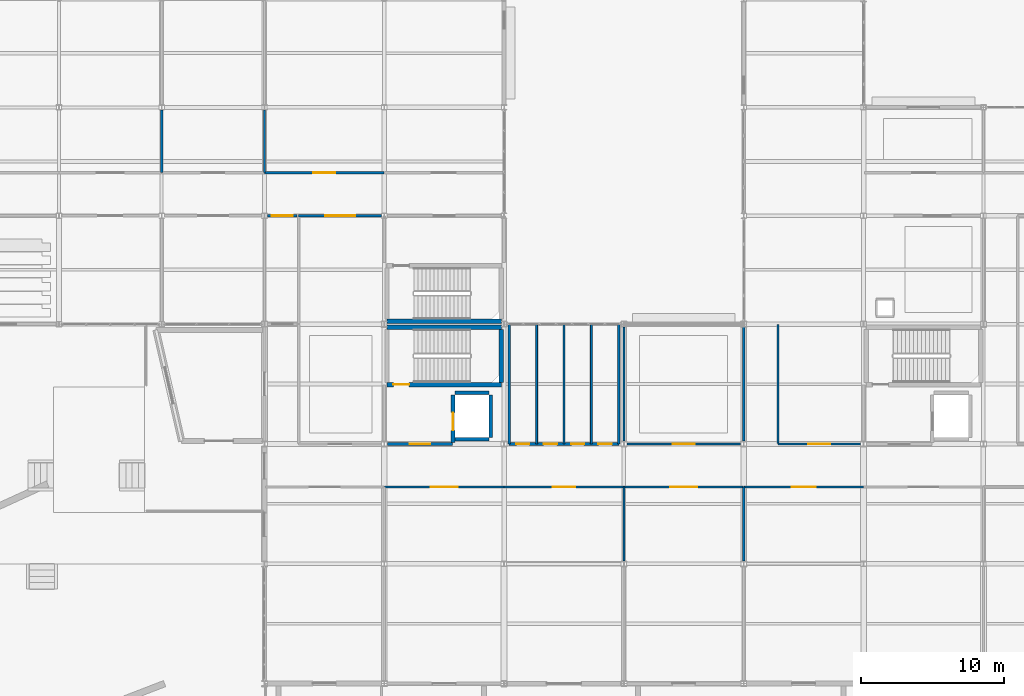
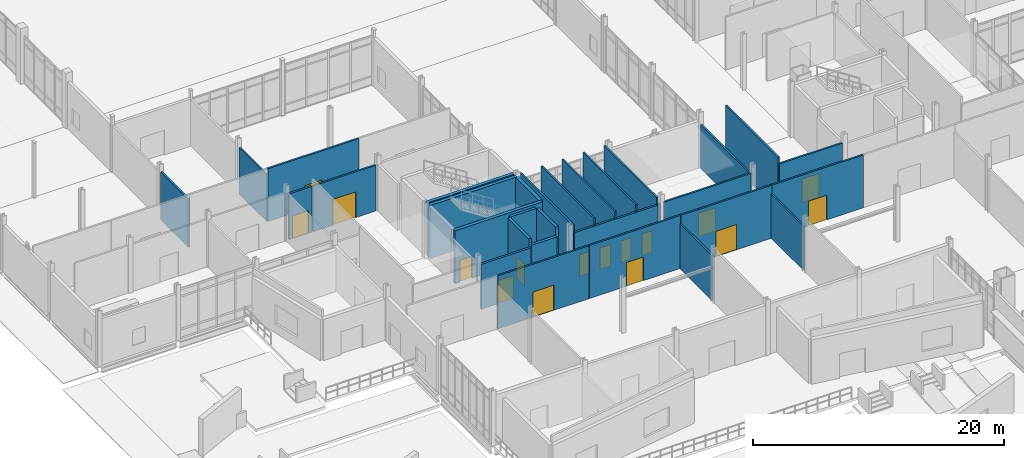
# One storey, part 190 of 229: 31 walls, 16 doors, 16 openings.
"""IFC4 building model written with IfcOpenShell, lengths in metres."""

from ifc_helpers import new_model, si_unit, direction, frame, frame_2d, origin, place, context, subcontext, project, spatial, rectangle, extrude, material, layer, layer_set, type_object, element, fill, save


model = new_model("IFC4")

# Units and contexts
model_context = context("Model", 3, precision=1e-05, world=origin(), true_north=direction((0.0, 1.0)))
body_context = subcontext(model_context, "Body", "Model", "MODEL_VIEW")
ifc_project = project(units=[si_unit("LENGTHUNIT", "METRE"), si_unit("AREAUNIT", "SQUARE_METRE"), si_unit("VOLUMEUNIT", "CUBIC_METRE"), si_unit("PLANEANGLEUNIT", "RADIAN"), si_unit("MASSUNIT", "GRAM", prefix="KILO")], contexts=[model_context])

# Site, building, storey
site_placement = place(None, origin())
site = spatial("IfcSite", under=ifc_project, at=site_placement, CompositionType="ELEMENT")
building_placement = place(site_placement, origin())
building = spatial("IfcBuilding", under=site, at=building_placement, Name="Calvrana Isthmian Art Gallery", CompositionType="ELEMENT")
storey_placement = place(building_placement, origin())
storey = spatial("IfcBuildingStorey", under=building, at=storey_placement, Name="L00", CompositionType="ELEMENT", Elevation=0.0)

# Wall, opening, door
ifc_material_1 = material(Name="Concrete C40/50", Category="concrete")
ifc_layer_1 = layer(ifc_material_1, 0.300048828125, Name="Concrete C40/50")
ifc_layer_set_1 = layer_set([ifc_layer_1], Name="Concrete C40/50")
wall_type_1 = type_object("IfcWallType", Name="CW-SHAFT-300", PredefinedType="SHEAR", material=ifc_layer_set_1)
wall_1_placement = place(storey_placement, frame((30.18994140625, 42.56005859375, 0.0), z_axis=(0.0, 0.0, 1.0), x_axis=(1.0, 0.0, 0.0)))
wall_1 = element("IfcWall", 1, at=wall_1_placement, inside=storey, type_object=wall_type_1, Name="Core C1 shear wall S L00", PredefinedType="SHEAR", context=body_context, shape_type="SweptSolid", body=[
    extrude(rectangle(XDim=8.02001953125, YDim=0.300048828125, at=frame_2d((4.010009765625, 0.0))), origin(), (0.0, 0.0, 1.0), 5.159912109375),
])
opening_1_placement = place(wall_1_placement, frame((0.449951171875, 0.0, 0.0)))
opening_1 = element("IfcOpeningElement", 2, at=opening_1_placement, cuts=wall_1, Name="Opening D-103", PredefinedType="OPENING", context=body_context, shape_type="SweptSolid", body=[
    extrude(rectangle(XDim=1.10009765625, YDim=2.14990234375, at=frame_2d((0.550048828125, 1.074951171875))), frame((0.0, 0.16015625, 0.0), z_axis=(0.0, -1.0, 0.0), x_axis=(1.0, 0.0, 0.0)), (0.0, 0.0, 1.0), 0.320556640625),
])
ifc_material_2 = material(Name="Steel ASTM A572 Gr 50", Category="steel")
door_type_1 = type_object("IfcDoorType", Name="DR-FIRE-1100", OperationType="NOTDEFINED", PredefinedType="DOOR", material=ifc_material_2)
door_1_placement = place(opening_1_placement, origin())
door_1 = element("IfcDoor", 3, at=door_1_placement, inside=storey, type_object=door_type_1, Name="Stair ST-1 fire door L00", OperationType="SINGLE_SWING_RIGHT", OverallHeight=2.14990234375, OverallWidth=1.10009765625, PredefinedType="DOOR", context=body_context, shape_type="SweptSolid", body=[
    extrude(rectangle(XDim=1.10009765625, YDim=2.14990234375, at=frame_2d((0.550048828125, 1.074951171875))), frame((0.0, 0.02490234375, 0.0), z_axis=(0.0, -1.0, 0.0), x_axis=(1.0, 0.0, 0.0)), (0.0, 0.0, 1.0), 0.050048828125),
])
fill(opening_1, door_1)

# Walls
wall_2_placement = place(storey_placement, frame((30.18994140625, 46.580078125, 0.0), z_axis=(0.0, 0.0, 1.0), x_axis=(1.0, 0.0, 0.0)))
element("IfcWall", 4, at=wall_2_placement, inside=storey, type_object=wall_type_1, Name="Core C1 shear wall N L00", PredefinedType="SHEAR", context=body_context, shape_type="SweptSolid", body=[
    extrude(rectangle(XDim=8.02001953125, YDim=0.300048828125, at=frame_2d((4.010009765625, 0.0))), origin(), (0.0, 0.0, 1.0), 5.159912109375),
])
wall_3_placement = place(storey_placement, frame((38.2099609375, 42.7099609375, 0.0), z_axis=(0.0, 0.0, 1.0), x_axis=(0.0, 1.0, 0.0)))
element("IfcWall", 5, at=wall_3_placement, inside=storey, type_object=wall_type_1, Name="Core C1 shear wall E L00", PredefinedType="SHEAR", context=body_context, shape_type="SweptSolid", body=[
    extrude(rectangle(XDim=3.719970703125, YDim=0.300048828125, at=frame_2d((1.85986328125, 0.0))), origin(), (0.0, 0.0, 1.0), 5.159912109375),
])
wall_4_placement = place(storey_placement, frame((30.18994140625, 47.0, 0.0), z_axis=(0.0, 0.0, 1.0), x_axis=(1.0, 0.0, 0.0)))
element("IfcWall", 6, at=wall_4_placement, inside=storey, type_object=wall_type_1, Name="Core C7 shear wall S L00", PredefinedType="SHEAR", context=body_context, shape_type="SweptSolid", body=[
    extrude(rectangle(XDim=8.02001953125, YDim=0.300048828125, at=frame_2d((4.010009765625, 0.0))), origin(), (0.0, 0.0, 1.0), 5.159912109375),
])

# Wall, openings, doors
ifc_material_3 = material(Name="Acoustic gypsum ceiling", Category="gypsum")
ifc_layer_2 = layer(ifc_material_3, 0.179931640625, Name="Acoustic gypsum ceiling")
ifc_layer_set_2 = layer_set([ifc_layer_2], Name="Acoustic gypsum ceiling")
wall_type_2 = type_object("IfcWallType", Name="PW-CORR-180", PredefinedType="PARTITIONING", material=ifc_layer_set_2)
wall_5_placement = place(storey_placement, frame((38.760009765625, 38.39990234375, 0.0), z_axis=(0.0, 0.0, 1.0), x_axis=(1.0, 0.0, 0.0)))
wall_5 = element("IfcWall", 7, at=wall_5_placement, inside=storey, type_object=wall_type_2, Name="Interior partition PW-099", PredefinedType="PARTITIONING", context=body_context, shape_type="SweptSolid", body=[
    extrude(rectangle(XDim=7.679931640625, YDim=0.179931640625, at=frame_2d((3.83984375, 0.0))), origin(), (0.0, 0.0, 1.0), 4.447021484375),
])
opening_2_placement = place(wall_5_placement, frame((0.510009765625, 0.0, 0.0)))
opening_2 = element("IfcOpeningElement", 8, at=opening_2_placement, cuts=wall_5, Name="Opening D-243", PredefinedType="OPENING", context=body_context, shape_type="SweptSolid", body=[
    extrude(rectangle(XDim=0.89990234375, YDim=2.10009765625, at=frame_2d((0.449951171875, 1.050048828125))), frame((0.0, 0.10009765625, 0.0), z_axis=(0.0, -1.0, 0.0), x_axis=(1.0, 0.0, 0.0)), (0.0, 0.0, 1.0), 0.200439453125),
])
opening_3_placement = place(wall_5_placement, frame((2.405029296875, 0.0, 0.0)))
opening_3 = element("IfcOpeningElement", 9, at=opening_3_placement, cuts=wall_5, Name="Opening D-244", PredefinedType="OPENING", context=body_context, shape_type="SweptSolid", body=[
    extrude(rectangle(XDim=0.949951171875, YDim=2.10009765625, at=frame_2d((0.47509765625, 1.050048828125))), frame((0.0, 0.10009765625, 0.0), z_axis=(0.0, -1.0, 0.0), x_axis=(1.0, 0.0, 0.0)), (0.0, 0.0, 1.0), 0.200439453125),
])
opening_4_placement = place(wall_5_placement, frame((4.35009765625, 0.0, 0.0)))
opening_4 = element("IfcOpeningElement", 10, at=opening_4_placement, cuts=wall_5, Name="Opening D-245", PredefinedType="OPENING", context=body_context, shape_type="SweptSolid", body=[
    extrude(rectangle(XDim=0.89990234375, YDim=2.10009765625, at=frame_2d((0.449951171875, 1.050048828125))), frame((0.0, 0.10009765625, 0.0), z_axis=(0.0, -1.0, 0.0), x_axis=(1.0, 0.0, 0.0)), (0.0, 0.0, 1.0), 0.200439453125),
])
opening_5_placement = place(wall_5_placement, frame((6.2451171875, 0.0, 0.0)))
opening_5 = element("IfcOpeningElement", 11, at=opening_5_placement, cuts=wall_5, Name="Opening D-246", PredefinedType="OPENING", context=body_context, shape_type="SweptSolid", body=[
    extrude(rectangle(XDim=0.949951171875, YDim=2.10009765625, at=frame_2d((0.47509765625, 1.050048828125))), frame((0.0, 0.10009765625, 0.0), z_axis=(0.0, -1.0, 0.0), x_axis=(1.0, 0.0, 0.0)), (0.0, 0.0, 1.0), 0.200439453125),
])
ifc_material_4 = material(Name="Timber gallery flooring", Category="wood")
door_type_2 = type_object("IfcDoorType", Name="DR-WC-900", OperationType="NOTDEFINED", PredefinedType="DOOR", material=ifc_material_4)
door_2_placement = place(opening_2_placement, origin())
door_2 = element("IfcDoor", 12, at=door_2_placement, inside=storey, type_object=door_type_2, Name="Interior door D-243", OperationType="SINGLE_SWING_LEFT", OverallHeight=2.10009765625, OverallWidth=0.89990234375, PredefinedType="DOOR", context=body_context, shape_type="SweptSolid", body=[
    extrude(rectangle(XDim=0.89990234375, YDim=2.10009765625, at=frame_2d((0.449951171875, 1.050048828125))), frame((0.0, 0.02490234375, 0.0), z_axis=(0.0, -1.0, 0.0), x_axis=(1.0, 0.0, 0.0)), (0.0, 0.0, 1.0), 0.050048828125),
])
fill(opening_2, door_2)
door_3_placement = place(opening_4_placement, origin())
door_3 = element("IfcDoor", 13, at=door_3_placement, inside=storey, type_object=door_type_2, Name="Interior door D-245", OperationType="SINGLE_SWING_LEFT", OverallHeight=2.10009765625, OverallWidth=0.89990234375, PredefinedType="DOOR", context=body_context, shape_type="SweptSolid", body=[
    extrude(rectangle(XDim=0.89990234375, YDim=2.10009765625, at=frame_2d((0.449951171875, 1.050048828125))), frame((0.0, 0.02490234375, 0.0), z_axis=(0.0, -1.0, 0.0), x_axis=(1.0, 0.0, 0.0)), (0.0, 0.0, 1.0), 0.050048828125),
])
fill(opening_4, door_3)
door_type_3 = type_object("IfcDoorType", Name="DR-WC-950", OperationType="NOTDEFINED", PredefinedType="DOOR", material=ifc_material_4)
door_4_placement = place(opening_3_placement, origin())
door_4 = element("IfcDoor", 14, at=door_4_placement, inside=storey, type_object=door_type_3, Name="Interior door D-244", OperationType="SINGLE_SWING_RIGHT", OverallHeight=2.10009765625, OverallWidth=0.949951171875, PredefinedType="DOOR", context=body_context, shape_type="SweptSolid", body=[
    extrude(rectangle(XDim=0.949951171875, YDim=2.10009765625, at=frame_2d((0.47509765625, 1.050048828125))), frame((0.0, 0.02490234375, 0.0), z_axis=(0.0, -1.0, 0.0), x_axis=(1.0, 0.0, 0.0)), (0.0, 0.0, 1.0), 0.050048828125),
])
fill(opening_3, door_4)
door_5_placement = place(opening_5_placement, origin())
door_5 = element("IfcDoor", 15, at=door_5_placement, inside=storey, type_object=door_type_3, Name="Interior door D-246", OperationType="SINGLE_SWING_RIGHT", OverallHeight=2.10009765625, OverallWidth=0.949951171875, PredefinedType="DOOR", context=body_context, shape_type="SweptSolid", body=[
    extrude(rectangle(XDim=0.949951171875, YDim=2.10009765625, at=frame_2d((0.47509765625, 1.050048828125))), frame((0.0, 0.02490234375, 0.0), z_axis=(0.0, -1.0, 0.0), x_axis=(1.0, 0.0, 0.0)), (0.0, 0.0, 1.0), 0.050048828125),
])
fill(opening_5, door_5)

# Wall, opening, door
wall_6_placement = place(storey_placement, frame((23.89990234375, 54.39990234375, 0.0), z_axis=(0.0, 0.0, 1.0), x_axis=(-1.0, 0.0, 0.0)))
wall_6 = element("IfcWall", 16, at=wall_6_placement, inside=storey, type_object=wall_type_2, Name="Interior partition PW-295", PredefinedType="PARTITIONING", context=body_context, shape_type="SweptSolid", body=[
    extrude(rectangle(XDim=2.08984375, YDim=0.179931640625, at=frame_2d((1.044921875, 0.0))), origin(), (0.0, 0.0, 1.0), 4.447021484375),
])
opening_6_placement = place(wall_6_placement, frame((0.320068359375, 0.0, 0.0)))
opening_6 = element("IfcOpeningElement", 17, at=opening_6_placement, cuts=wall_6, Name="Opening D-347", PredefinedType="OPENING", context=body_context, shape_type="SweptSolid", body=[
    extrude(rectangle(XDim=1.449951171875, YDim=2.199951171875, at=frame_2d((0.72509765625, 1.10009765625))), frame((0.0, 0.10009765625, 0.0), z_axis=(0.0, -1.0, 0.0), x_axis=(1.0, 0.0, 0.0)), (0.0, 0.0, 1.0), 0.200439453125),
])
door_type_4 = type_object("IfcDoorType", Name="DR-LOBBY-1450", OperationType="DOUBLE_DOOR_SINGLE_SWING", PredefinedType="DOOR", material=ifc_material_2)
door_6_placement = place(opening_6_placement, origin())
door_6 = element("IfcDoor", 18, at=door_6_placement, inside=storey, type_object=door_type_4, Name="Interior door D-347", OperationType="DOUBLE_DOOR_SINGLE_SWING", OverallHeight=2.199951171875, OverallWidth=1.449951171875, PredefinedType="DOOR", context=body_context, shape_type="SweptSolid", body=[
    extrude(rectangle(XDim=1.449951171875, YDim=2.199951171875, at=frame_2d((0.72509765625, 1.10009765625))), frame((0.0, 0.02490234375, 0.0), z_axis=(0.0, -1.0, 0.0), x_axis=(1.0, 0.0, 0.0)), (0.0, 0.0, 1.0), 0.050048828125),
])
fill(opening_6, door_6)

ifc_layer_3 = layer(ifc_material_3, 0.199951171875, Name="Acoustic gypsum ceiling")
ifc_layer_set_3 = layer_set([ifc_layer_3], Name="Acoustic gypsum ceiling")
wall_type_3 = type_object("IfcWallType", Name="PW-FIRE-200", PredefinedType="PARTITIONING", material=ifc_layer_set_3)
wall_7_placement = place(storey_placement, frame((30.219970703125, 38.39990234375, 0.0), z_axis=(0.0, 0.0, 1.0), x_axis=(1.0, 0.0, 0.0)))
wall_7 = element("IfcWall", 19, at=wall_7_placement, inside=storey, type_object=wall_type_3, Name="Core C1 lobby enclosure L00", PredefinedType="PARTITIONING", context=body_context, shape_type="SweptSolid", body=[
    extrude(rectangle(XDim=4.56005859375, YDim=0.199951171875, at=frame_2d((2.280029296875, 0.0))), origin(), (0.0, 0.0, 1.0), 4.3779296875),
])
opening_7_placement = place(wall_7_placement, frame((1.554931640625, 0.0, 0.0)))
opening_7 = element("IfcOpeningElement", 20, at=opening_7_placement, cuts=wall_7, Name="Opening D-104", PredefinedType="OPENING", context=body_context, shape_type="SweptSolid", body=[
    extrude(rectangle(XDim=1.449951171875, YDim=2.199951171875, at=frame_2d((0.72509765625, 1.10009765625))), frame((0.0, 0.1103515625, 0.0), z_axis=(0.0, -1.0, 0.0), x_axis=(1.0, 0.0, 0.0)), (0.0, 0.0, 1.0), 0.220458984375),
])
door_7_placement = place(opening_7_placement, origin())
door_7 = element("IfcDoor", 21, at=door_7_placement, inside=storey, type_object=door_type_4, Name="Core C1 lobby fire door L00", OperationType="DOUBLE_DOOR_SINGLE_SWING", OverallHeight=2.199951171875, OverallWidth=1.449951171875, PredefinedType="DOOR", context=body_context, shape_type="SweptSolid", body=[
    extrude(rectangle(XDim=1.449951171875, YDim=2.199951171875, at=frame_2d((0.72509765625, 1.10009765625))), frame((0.0, 0.02490234375, 0.0), z_axis=(0.0, -1.0, 0.0), x_axis=(1.0, 0.0, 0.0)), (0.0, 0.0, 1.0), 0.050048828125),
])
fill(opening_7, door_7)

ifc_layer_4 = layer(ifc_material_3, 0.159912109375, Name="Acoustic gypsum ceiling")
ifc_layer_set_4 = layer_set([ifc_layer_4], Name="Acoustic gypsum ceiling")
wall_type_4 = type_object("IfcWallType", Name="PW-GAL-160", PredefinedType="PARTITIONING", material=ifc_layer_set_4)
wall_8_placement = place(storey_placement, frame((30.010009765625, 35.389892578125, 0.0), z_axis=(0.0, 0.0, 1.0), x_axis=(1.0, 0.0, 0.0)))
wall_8 = element("IfcWall", 22, at=wall_8_placement, inside=storey, type_object=wall_type_4, Name="Interior partition PW-080", PredefinedType="PARTITIONING", context=body_context, shape_type="SweptSolid", body=[
    extrude(rectangle(XDim=8.3798828125, YDim=0.159912109375, at=frame_2d((4.18994140625, 0.0))), origin(), (0.0, 0.0, 1.0), 5.139892578125),
])
opening_8_placement = place(wall_8_placement, frame((3.239990234375, 0.0, 0.0)))
opening_8 = element("IfcOpeningElement", 23, at=opening_8_placement, cuts=wall_8, Name="Opening D-236", PredefinedType="OPENING", context=body_context, shape_type="SweptSolid", body=[
    extrude(rectangle(XDim=1.89990234375, YDim=2.449951171875, at=frame_2d((0.949951171875, 1.22509765625))), frame((0.0, 0.09033203125, 0.0), z_axis=(0.0, -1.0, 0.0), x_axis=(1.0, 0.0, 0.0)), (0.0, 0.0, 1.0), 0.180419921875),
])
door_type_5 = type_object("IfcDoorType", Name="DR-GAL-1900", OperationType="DOUBLE_DOOR_SINGLE_SWING", PredefinedType="DOOR", material=ifc_material_4)
door_8_placement = place(opening_8_placement, origin())
door_8 = element("IfcDoor", 24, at=door_8_placement, inside=storey, type_object=door_type_5, Name="Interior door D-236", OperationType="DOUBLE_DOOR_SINGLE_SWING", OverallHeight=2.449951171875, OverallWidth=1.89990234375, PredefinedType="DOOR", context=body_context, shape_type="SweptSolid", body=[
    extrude(rectangle(XDim=1.89990234375, YDim=2.449951171875, at=frame_2d((0.949951171875, 1.22509765625))), frame((0.0, 0.02490234375, 0.0), z_axis=(0.0, -1.0, 0.0), x_axis=(1.0, 0.0, 0.0)), (0.0, 0.0, 1.0), 0.050048828125),
])
fill(opening_8, door_8)

wall_9_placement = place(storey_placement, frame((38.409912109375, 35.389892578125, 0.0), z_axis=(0.0, 0.0, 1.0), x_axis=(1.0, 0.0, 0.0)))
wall_9 = element("IfcWall", 25, at=wall_9_placement, inside=storey, type_object=wall_type_4, Name="Interior partition PW-081", PredefinedType="PARTITIONING", context=body_context, shape_type="SweptSolid", body=[
    extrude(rectangle(XDim=8.380126953125, YDim=0.159912109375, at=frame_2d((4.18994140625, 0.0))), origin(), (0.0, 0.0, 1.0), 5.139892578125),
])
opening_9_placement = place(wall_9_placement, frame((3.4150390625, 0.0, 0.0)))
opening_9 = element("IfcOpeningElement", 26, at=opening_9_placement, cuts=wall_9, Name="Opening D-237", PredefinedType="OPENING", context=body_context, shape_type="SweptSolid", body=[
    extrude(rectangle(XDim=1.550048828125, YDim=2.300048828125, at=frame_2d((0.77490234375, 1.14990234375))), frame((0.0, 0.09033203125, 0.0), z_axis=(0.0, -1.0, 0.0), x_axis=(1.0, 0.0, 0.0)), (0.0, 0.0, 1.0), 0.180419921875),
])
door_type_6 = type_object("IfcDoorType", Name="DR-AUD-1550", OperationType="DOUBLE_DOOR_SINGLE_SWING", PredefinedType="DOOR", material=ifc_material_4)
door_9_placement = place(opening_9_placement, origin())
door_9 = element("IfcDoor", 27, at=door_9_placement, inside=storey, type_object=door_type_6, Name="Interior door D-237", OperationType="DOUBLE_DOOR_SINGLE_SWING", OverallHeight=2.300048828125, OverallWidth=1.550048828125, PredefinedType="DOOR", context=body_context, shape_type="SweptSolid", body=[
    extrude(rectangle(XDim=1.550048828125, YDim=2.300048828125, at=frame_2d((0.77490234375, 1.14990234375))), frame((0.0, 0.02490234375, 0.0), z_axis=(0.0, -1.0, 0.0), x_axis=(1.0, 0.0, 0.0)), (0.0, 0.0, 1.0), 0.050048828125),
])
fill(opening_9, door_9)

# Wall
wall_10_placement = place(storey_placement, frame((46.800048828125, 30.2080078125, 0.0), z_axis=(0.0, 0.0, 1.0), x_axis=(0.0, 1.0, 0.0)))
element("IfcWall", 28, at=wall_10_placement, inside=storey, type_object=wall_type_4, Name="Interior partition PW-083", PredefinedType="PARTITIONING", context=body_context, shape_type="SweptSolid", body=[
    extrude(rectangle(XDim=5.171875, YDim=0.159912109375, at=frame_2d((2.5859375, 0.0))), origin(), (0.0, 0.0, 1.0), 4.367919921875),
])

# Wall, opening, door
wall_11_placement = place(storey_placement, frame((46.81005859375, 35.389892578125, 0.0), z_axis=(0.0, 0.0, 1.0), x_axis=(1.0, 0.0, 0.0)))
wall_11 = element("IfcWall", 29, at=wall_11_placement, inside=storey, type_object=wall_type_4, Name="Interior partition PW-084", PredefinedType="PARTITIONING", context=body_context, shape_type="SweptSolid", body=[
    extrude(rectangle(XDim=8.3798828125, YDim=0.159912109375, at=frame_2d((4.18994140625, 0.0))), origin(), (0.0, 0.0, 1.0), 5.139892578125),
])
opening_10_placement = place(wall_11_placement, frame((3.239990234375, 0.0, 0.0)))
opening_10 = element("IfcOpeningElement", 30, at=opening_10_placement, cuts=wall_11, Name="Opening D-238", PredefinedType="OPENING", context=body_context, shape_type="SweptSolid", body=[
    extrude(rectangle(XDim=1.89990234375, YDim=2.449951171875, at=frame_2d((0.949951171875, 1.22509765625))), frame((0.0, 0.09033203125, 0.0), z_axis=(0.0, -1.0, 0.0), x_axis=(1.0, 0.0, 0.0)), (0.0, 0.0, 1.0), 0.180419921875),
])
door_10_placement = place(opening_10_placement, origin())
door_10 = element("IfcDoor", 31, at=door_10_placement, inside=storey, type_object=door_type_5, Name="Interior door D-238", OperationType="DOUBLE_DOOR_SINGLE_SWING", OverallHeight=2.449951171875, OverallWidth=1.89990234375, PredefinedType="DOOR", context=body_context, shape_type="SweptSolid", body=[
    extrude(rectangle(XDim=1.89990234375, YDim=2.449951171875, at=frame_2d((0.949951171875, 1.22509765625))), frame((0.0, 0.02490234375, 0.0), z_axis=(0.0, -1.0, 0.0), x_axis=(1.0, 0.0, 0.0)), (0.0, 0.0, 1.0), 0.050048828125),
])
fill(opening_10, door_10)

# Wall
wall_12_placement = place(storey_placement, frame((55.199951171875, 30.20556640625, 0.0), z_axis=(0.0, 0.0, 1.0), x_axis=(0.0, 1.0, 0.0)))
element("IfcWall", 32, at=wall_12_placement, inside=storey, type_object=wall_type_4, Name="Interior partition PW-086", PredefinedType="PARTITIONING", context=body_context, shape_type="SweptSolid", body=[
    extrude(rectangle(XDim=5.17431640625, YDim=0.159912109375, at=frame_2d((2.587158203125, 0.0))), origin(), (0.0, 0.0, 1.0), 4.283935546875),
])

# Wall, opening, door
wall_13_placement = place(storey_placement, frame((55.2099609375, 35.389892578125, 0.0), z_axis=(0.0, 0.0, 1.0), x_axis=(1.0, 0.0, 0.0)))
wall_13 = element("IfcWall", 33, at=wall_13_placement, inside=storey, type_object=wall_type_4, Name="Interior partition PW-087", PredefinedType="PARTITIONING", context=body_context, shape_type="SweptSolid", body=[
    extrude(rectangle(XDim=8.380126953125, YDim=0.159912109375, at=frame_2d((4.18994140625, 0.0))), origin(), (0.0, 0.0, 1.0), 5.139892578125),
])
opening_11_placement = place(wall_13_placement, frame((3.340087890625, 0.0, 0.0)))
opening_11 = element("IfcOpeningElement", 34, at=opening_11_placement, cuts=wall_13, Name="Opening D-239", PredefinedType="OPENING", context=body_context, shape_type="SweptSolid", body=[
    extrude(rectangle(XDim=1.699951171875, YDim=2.39990234375, at=frame_2d((0.85009765625, 1.199951171875))), frame((0.0, 0.09033203125, 0.0), z_axis=(0.0, -1.0, 0.0), x_axis=(1.0, 0.0, 0.0)), (0.0, 0.0, 1.0), 0.180419921875),
])
door_type_7 = type_object("IfcDoorType", Name="DR-GAL-1700", OperationType="DOUBLE_DOOR_SINGLE_SWING", PredefinedType="DOOR", material=ifc_material_4)
door_11_placement = place(opening_11_placement, origin())
door_11 = element("IfcDoor", 35, at=door_11_placement, inside=storey, type_object=door_type_7, Name="Interior door D-239", OperationType="DOUBLE_DOOR_SINGLE_SWING", OverallHeight=2.39990234375, OverallWidth=1.699951171875, PredefinedType="DOOR", context=body_context, shape_type="SweptSolid", body=[
    extrude(rectangle(XDim=1.699951171875, YDim=2.39990234375, at=frame_2d((0.85009765625, 1.199951171875))), frame((0.0, 0.02490234375, 0.0), z_axis=(0.0, -1.0, 0.0), x_axis=(1.0, 0.0, 0.0)), (0.0, 0.0, 1.0), 0.050048828125),
])
fill(opening_11, door_11)

# Walls
for number, where, z_axis, x_axis, name in (
    (36, (38.760009765625, 38.409912109375, 0.0), (0.0, 0.0, 1.0), (0.0, 1.0, 0.0), "Interior partition PW-097"),
    (37, (46.43994140625, 38.409912109375, 0.0), (0.0, 0.0, 1.0), (0.0, 1.0, 0.0), "Interior partition PW-098"),
):
    element("IfcWall", number, at=place(storey_placement, frame(where, z_axis=z_axis, x_axis=x_axis)), inside=storey, type_object=wall_type_4, Name=name, PredefinedType="PARTITIONING", context=body_context, shape_type="SweptSolid", body=[
        extrude(rectangle(XDim=8.360107421875, YDim=0.159912109375, at=frame_2d((4.18017578125, 0.0))), origin(), (0.0, 0.0, 1.0), 5.139892578125),
    ])
wall_14_placement = place(storey_placement, frame((46.800048828125, 38.6015625, 0.0), z_axis=(0.0, 0.0, 1.0), x_axis=(0.0, 1.0, 0.0)))
element("IfcWall", 38, at=wall_14_placement, inside=storey, type_object=wall_type_4, Name="Interior partition PW-100", PredefinedType="PARTITIONING", context=body_context, shape_type="SweptSolid", body=[
    extrude(rectangle(XDim=7.990478515625, YDim=0.159912109375, at=frame_2d((3.9951171875, 0.0))), origin(), (0.0, 0.0, 1.0), 4.283935546875),
])

# Wall, opening, door
wall_15_placement = place(storey_placement, frame((47.00146484375, 38.39990234375, 0.0), z_axis=(0.0, 0.0, 1.0), x_axis=(1.0, 0.0, 0.0)))
wall_15 = element("IfcWall", 39, at=wall_15_placement, inside=storey, type_object=wall_type_4, Name="Interior partition PW-101", PredefinedType="PARTITIONING", context=body_context, shape_type="SweptSolid", body=[
    extrude(rectangle(XDim=7.984130859375, YDim=0.159912109375, at=frame_2d((3.9921875, 0.0))), origin(), (0.0, 0.0, 1.0), 4.51806640625),
])
opening_12_placement = place(wall_15_placement, frame((3.217041015625, 0.0, 0.0)))
opening_12 = element("IfcOpeningElement", 40, at=opening_12_placement, cuts=wall_15, Name="Opening D-247", PredefinedType="OPENING", context=body_context, shape_type="SweptSolid", body=[
    extrude(rectangle(XDim=1.550048828125, YDim=2.300048828125, at=frame_2d((0.77490234375, 1.14990234375))), frame((0.0, 0.09033203125, 0.0), z_axis=(0.0, -1.0, 0.0), x_axis=(1.0, 0.0, 0.0)), (0.0, 0.0, 1.0), 0.180419921875),
])
door_12_placement = place(opening_12_placement, origin())
door_12 = element("IfcDoor", 41, at=door_12_placement, inside=storey, type_object=door_type_6, Name="Interior door D-247", OperationType="DOUBLE_DOOR_SINGLE_SWING", OverallHeight=2.300048828125, OverallWidth=1.550048828125, PredefinedType="DOOR", context=body_context, shape_type="SweptSolid", body=[
    extrude(rectangle(XDim=1.550048828125, YDim=2.300048828125, at=frame_2d((0.77490234375, 1.14990234375))), frame((0.0, 0.02490234375, 0.0), z_axis=(0.0, -1.0, 0.0), x_axis=(1.0, 0.0, 0.0)), (0.0, 0.0, 1.0), 0.050048828125),
])
fill(opening_12, door_12)

# Walls
wall_16_placement = place(storey_placement, frame((55.199951171875, 38.60791015625, 0.0), z_axis=(0.0, 0.0, 1.0), x_axis=(0.0, 1.0, 0.0)))
element("IfcWall", 42, at=wall_16_placement, inside=storey, type_object=wall_type_4, Name="Interior partition PW-102", PredefinedType="PARTITIONING", context=body_context, shape_type="SweptSolid", body=[
    extrude(rectangle(XDim=7.97412109375, YDim=0.159912109375, at=frame_2d((3.987060546875, 0.0))), origin(), (0.0, 0.0, 1.0), 4.212890625),
])
wall_17_placement = place(storey_placement, frame((57.60009765625, 38.419921875, 0.0), z_axis=(0.0, 0.0, 1.0), x_axis=(0.0, 1.0, 0.0)))
element("IfcWall", 43, at=wall_17_placement, inside=storey, type_object=wall_type_4, Name="Interior partition PW-103", PredefinedType="PARTITIONING", context=body_context, shape_type="SweptSolid", body=[
    extrude(rectangle(XDim=8.340087890625, YDim=0.159912109375, at=frame_2d((4.169921875, 0.0))), origin(), (0.0, 0.0, 1.0), 5.139892578125),
])

# Wall, opening, door
wall_18_placement = place(storey_placement, frame((57.60009765625, 38.39990234375, 0.0), z_axis=(0.0, 0.0, 1.0), x_axis=(1.0, 0.0, 0.0)))
wall_18 = element("IfcWall", 44, at=wall_18_placement, inside=storey, type_object=wall_type_4, Name="Interior partition PW-104", PredefinedType="PARTITIONING", context=body_context, shape_type="SweptSolid", body=[
    extrude(rectangle(XDim=5.786865234375, YDim=0.159912109375, at=frame_2d((2.8935546875, 0.0))), origin(), (0.0, 0.0, 1.0), 4.528076171875),
])
opening_13_placement = place(wall_18_placement, frame((2.118408203125, 0.0, 0.0)))
opening_13 = element("IfcOpeningElement", 45, at=opening_13_placement, cuts=wall_18, Name="Opening D-248", PredefinedType="OPENING", context=body_context, shape_type="SweptSolid", body=[
    extrude(rectangle(XDim=1.550048828125, YDim=2.300048828125, at=frame_2d((0.77490234375, 1.14990234375))), frame((0.0, 0.09033203125, 0.0), z_axis=(0.0, -1.0, 0.0), x_axis=(1.0, 0.0, 0.0)), (0.0, 0.0, 1.0), 0.180419921875),
])
door_13_placement = place(opening_13_placement, origin())
door_13 = element("IfcDoor", 46, at=door_13_placement, inside=storey, type_object=door_type_6, Name="Interior door D-248", OperationType="DOUBLE_DOOR_SINGLE_SWING", OverallHeight=2.300048828125, OverallWidth=1.550048828125, PredefinedType="DOOR", context=body_context, shape_type="SweptSolid", body=[
    extrude(rectangle(XDim=1.550048828125, YDim=2.300048828125, at=frame_2d((0.77490234375, 1.14990234375))), frame((0.0, 0.02490234375, 0.0), z_axis=(0.0, -1.0, 0.0), x_axis=(1.0, 0.0, 0.0)), (0.0, 0.0, 1.0), 0.050048828125),
])
fill(opening_13, door_13)

wall_19_placement = place(storey_placement, frame((24.0, 54.39990234375, 0.0), z_axis=(0.0, 0.0, 1.0), x_axis=(1.0, 0.0, 0.0)))
wall_19 = element("IfcWall", 47, at=wall_19_placement, inside=storey, type_object=wall_type_4, Name="Interior partition PW-169", PredefinedType="PARTITIONING", context=body_context, shape_type="SweptSolid", body=[
    extrude(rectangle(XDim=5.801025390625, YDim=0.159912109375, at=frame_2d((2.900390625, 0.0))), origin(), (0.0, 0.0, 1.0), 4.447021484375),
])
opening_14_placement = place(wall_19_placement, frame((1.8505859375, 0.0, 0.0)))
opening_14 = element("IfcOpeningElement", 48, at=opening_14_placement, cuts=wall_19, Name="Opening D-280", PredefinedType="OPENING", context=body_context, shape_type="SweptSolid", body=[
    extrude(rectangle(XDim=2.10009765625, YDim=2.5, at=frame_2d((1.050048828125, 1.25))), frame((0.0, 0.09033203125, 0.0), z_axis=(0.0, -1.0, 0.0), x_axis=(1.0, 0.0, 0.0)), (0.0, 0.0, 1.0), 0.180419921875),
])
door_type_8 = type_object("IfcDoorType", Name="DR-GAL-2100", OperationType="DOUBLE_DOOR_SINGLE_SWING", PredefinedType="DOOR", material=ifc_material_4)
door_14_placement = place(opening_14_placement, origin())
door_14 = element("IfcDoor", 49, at=door_14_placement, inside=storey, type_object=door_type_8, Name="Interior door D-280", OperationType="DOUBLE_DOOR_SINGLE_SWING", OverallHeight=2.5, OverallWidth=2.10009765625, PredefinedType="DOOR", context=body_context, shape_type="SweptSolid", body=[
    extrude(rectangle(XDim=2.10009765625, YDim=2.5, at=frame_2d((1.050048828125, 1.25))), frame((0.0, 0.02490234375, 0.0), z_axis=(0.0, -1.0, 0.0), x_axis=(1.0, 0.0, 0.0)), (0.0, 0.0, 1.0), 0.050048828125),
])
fill(opening_14, door_14)

# Walls
wall_20_placement = place(storey_placement, frame((14.39990234375, 57.419921875, 0.0), z_axis=(0.0, 0.0, 1.0), x_axis=(0.0, 1.0, 0.0)))
element("IfcWall", 50, at=wall_20_placement, inside=storey, type_object=wall_type_4, Name="Interior partition PW-172", PredefinedType="PARTITIONING", context=body_context, shape_type="SweptSolid", body=[
    extrude(rectangle(XDim=4.378662109375, YDim=0.159912109375, at=frame_2d((2.189453125, 0.0))), origin(), (0.0, 0.0, 1.0), 4.677978515625),
])
wall_21_placement = place(storey_placement, frame((21.60009765625, 57.419921875, 0.0), z_axis=(0.0, 0.0, 1.0), x_axis=(0.0, 1.0, 0.0)))
element("IfcWall", 51, at=wall_21_placement, inside=storey, type_object=wall_type_4, Name="Interior partition PW-175", PredefinedType="PARTITIONING", context=body_context, shape_type="SweptSolid", body=[
    extrude(rectangle(XDim=4.381103515625, YDim=0.159912109375, at=frame_2d((2.1904296875, 0.0))), origin(), (0.0, 0.0, 1.0), 4.528076171875),
])

# Wall, opening, door
wall_22_placement = place(storey_placement, frame((21.610107421875, 57.409912109375, 0.0), z_axis=(0.0, 0.0, 1.0), x_axis=(1.0, 0.0, 0.0)))
wall_22 = element("IfcWall", 52, at=wall_22_placement, inside=storey, type_object=wall_type_4, Name="Interior partition PW-177", PredefinedType="PARTITIONING", context=body_context, shape_type="SweptSolid", body=[
    extrude(rectangle(XDim=8.3798828125, YDim=0.159912109375, at=frame_2d((4.18994140625, 0.0))), origin(), (0.0, 0.0, 1.0), 5.139892578125),
])
opening_15_placement = place(wall_22_placement, frame((3.4150390625, 0.0, 0.0)))
opening_15 = element("IfcOpeningElement", 53, at=opening_15_placement, cuts=wall_22, Name="Opening D-283", PredefinedType="OPENING", context=body_context, shape_type="SweptSolid", body=[
    extrude(rectangle(XDim=1.550048828125, YDim=2.300048828125, at=frame_2d((0.77490234375, 1.14990234375))), frame((0.0, 0.09033203125, 0.0), z_axis=(0.0, -1.0, 0.0), x_axis=(1.0, 0.0, 0.0)), (0.0, 0.0, 1.0), 0.180419921875),
])
door_15_placement = place(opening_15_placement, origin())
door_15 = element("IfcDoor", 54, at=door_15_placement, inside=storey, type_object=door_type_6, Name="Interior door D-283", OperationType="DOUBLE_DOOR_SINGLE_SWING", OverallHeight=2.300048828125, OverallWidth=1.550048828125, PredefinedType="DOOR", context=body_context, shape_type="SweptSolid", body=[
    extrude(rectangle(XDim=1.550048828125, YDim=2.300048828125, at=frame_2d((0.77490234375, 1.14990234375))), frame((0.0, 0.02490234375, 0.0), z_axis=(0.0, -1.0, 0.0), x_axis=(1.0, 0.0, 0.0)), (0.0, 0.0, 1.0), 0.050048828125),
])
fill(opening_15, door_15)

# Walls
ifc_material_5 = material(Name="Concrete C35/45", Category="concrete")
ifc_layer_5 = layer(ifc_material_5, 0.25, Name="Concrete C35/45")
ifc_layer_set_5 = layer_set([ifc_layer_5], Name="Concrete C35/45")
wall_type_5 = type_object("IfcWallType", Name="PW-SHAFT-250", PredefinedType="PARTITIONING", material=ifc_layer_set_5)
wall_23_placement = place(storey_placement, frame((37.47998046875, 38.85009765625, 0.0), z_axis=(0.0, 0.0, 1.0), x_axis=(0.0, 1.0, 0.0)))
element("IfcWall", 55, at=wall_23_placement, inside=storey, type_object=wall_type_5, Name="Lift EL-01 shaft wall E L00", PredefinedType="PARTITIONING", context=body_context, shape_type="SweptSolid", body=[
    extrude(rectangle(XDim=3.0, YDim=0.25, at=frame_2d((1.5, 0.0))), origin(), (0.0, 0.0, 1.0), 5.159912109375),
])
wall_24_placement = place(storey_placement, frame((34.949951171875, 38.719970703125, 0.0), z_axis=(0.0, 0.0, 1.0), x_axis=(1.0, 0.0, 0.0)))
element("IfcWall", 56, at=wall_24_placement, inside=storey, type_object=wall_type_5, Name="Lift EL-01 shaft wall S L00", PredefinedType="PARTITIONING", context=body_context, shape_type="SweptSolid", body=[
    extrude(rectangle(XDim=2.400146484375, YDim=0.25, at=frame_2d((1.2001953125, 0.0))), origin(), (0.0, 0.0, 1.0), 4.3779296875),
])
wall_25_placement = place(storey_placement, frame((34.949951171875, 41.97998046875, 0.0), z_axis=(0.0, 0.0, 1.0), x_axis=(1.0, 0.0, 0.0)))
element("IfcWall", 57, at=wall_25_placement, inside=storey, type_object=wall_type_5, Name="Lift EL-01 shaft wall N L00", PredefinedType="PARTITIONING", context=body_context, shape_type="SweptSolid", body=[
    extrude(rectangle(XDim=2.400146484375, YDim=0.25, at=frame_2d((1.2001953125, 0.0))), origin(), (0.0, 0.0, 1.0), 5.159912109375),
])

# Wall, opening, door
wall_26_placement = place(storey_placement, frame((34.820068359375, 38.5, 0.0), z_axis=(0.0, 0.0, 1.0), x_axis=(0.0, 1.0, 0.0)))
wall_26 = element("IfcWall", 58, at=wall_26_placement, inside=storey, type_object=wall_type_5, Name="Lift EL-01 shaft wall W L00", PredefinedType="PARTITIONING", context=body_context, shape_type="SweptSolid", body=[
    extrude(rectangle(XDim=3.35009765625, YDim=0.25, at=frame_2d((1.675048828125, 0.0))), origin(), (0.0, 0.0, 1.0), 5.159912109375),
])
opening_16_placement = place(wall_26_placement, frame((0.85009765625, 0.0, 0.0)))
opening_16 = element("IfcOpeningElement", 59, at=opening_16_placement, cuts=wall_26, Name="Opening LD-01-L00", PredefinedType="OPENING", context=body_context, shape_type="SweptSolid", body=[
    extrude(rectangle(XDim=1.25, YDim=2.14990234375, at=frame_2d((0.625, 1.074951171875))), frame((0.0, 0.13525390625, 0.0), z_axis=(0.0, -1.0, 0.0), x_axis=(1.0, 0.0, 0.0)), (0.0, 0.0, 1.0), 0.2705078125),
])
ifc_material_6 = material(Name="Stainless steel 316", Category="steel")
door_type_9 = type_object("IfcDoorType", Name="DR-LIFT-1250", OperationType="DOUBLE_DOOR_SLIDING", PredefinedType="DOOR", material=ifc_material_6)
door_16_placement = place(opening_16_placement, origin())
door_16 = element("IfcDoor", 60, at=door_16_placement, inside=storey, type_object=door_type_9, Name="Lift EL-01 sliding landing door L00", OperationType="DOUBLE_DOOR_SLIDING", OverallHeight=2.14990234375, OverallWidth=1.25, PredefinedType="DOOR", context=body_context, shape_type="SweptSolid", body=[
    extrude(rectangle(XDim=1.25, YDim=2.14990234375, at=frame_2d((0.625, 1.074951171875))), frame((0.0, 0.02490234375, 0.0), z_axis=(0.0, -1.0, 0.0), x_axis=(1.0, 0.0, 0.0)), (0.0, 0.0, 1.0), 0.050048828125),
])
fill(opening_16, door_16)

# Walls
ifc_layer_6 = layer(ifc_material_3, 0.139892578125, Name="Acoustic gypsum ceiling")
ifc_layer_set_6 = layer_set([ifc_layer_6], Name="Acoustic gypsum ceiling")
wall_type_6 = type_object("IfcWallType", Name="PW-WC-140", PredefinedType="PARTITIONING", material=ifc_layer_set_6)
for number, where, z_axis, x_axis, name in (
    (61, (40.679931640625, 38.409912109375, 0.0), (0.0, 0.0, 1.0), (0.0, 1.0, 0.0), "Interior partition PW-094"),
    (62, (42.60009765625, 38.409912109375, 0.0), (0.0, 0.0, 1.0), (0.0, 1.0, 0.0), "Interior partition PW-095"),
    (63, (44.52001953125, 38.409912109375, 0.0), (0.0, 0.0, 1.0), (0.0, 1.0, 0.0), "Interior partition PW-096"),
):
    element("IfcWall", number, at=place(storey_placement, frame(where, z_axis=z_axis, x_axis=x_axis)), inside=storey, type_object=wall_type_6, Name=name, PredefinedType="PARTITIONING", context=body_context, shape_type="SweptSolid", body=[
        extrude(rectangle(XDim=8.360107421875, YDim=0.139892578125, at=frame_2d((4.18017578125, 0.0))), origin(), (0.0, 0.0, 1.0), 5.139892578125),
    ])

save(model, "model.ifc")
